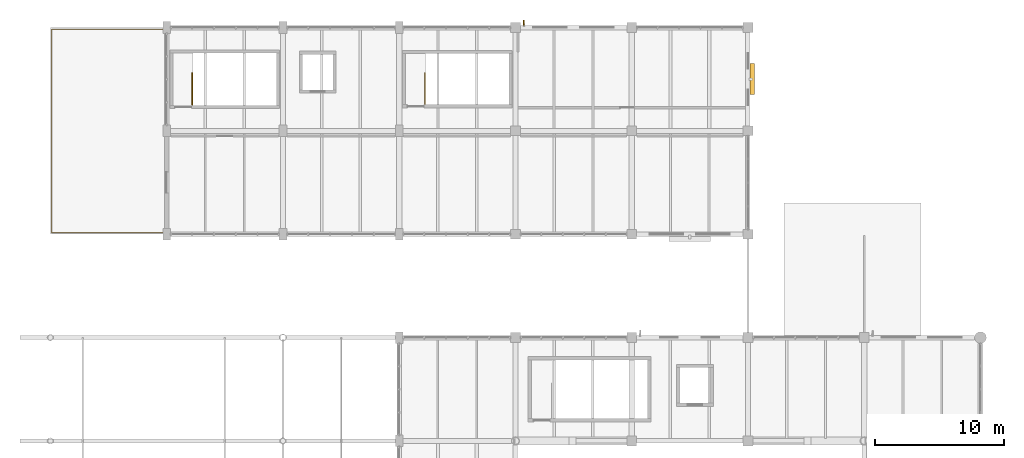
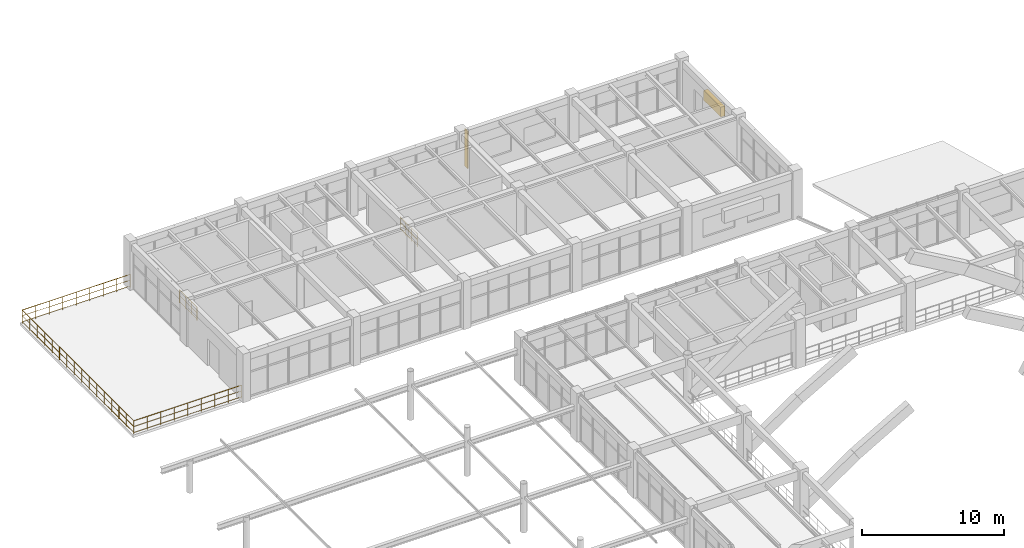
# One storey, part 142 of 148: 3 railings, 2 shading devices.
"""IFC4 building model written with IfcOpenShell, lengths in metres."""

import ifcopenshell
import ifcopenshell.guid

model = None  # the IFC model being written
_history = None  # IfcOwnerHistory: only IFC2X3 demands one
_inside = {}  # id of a spatial element -> (the spatial element, [elements in it])
_under = {}  # id of a project, library or spatial element -> (it, [spatial elements below it])
_declared = {}  # id of a project -> (the project, [libraries it declares])
_typed = {}  # id of a type object -> (the type object, [elements of that type])
_made_of = {}  # id of a material, layer set ... -> (it, [elements and type objects made of it])


def new_model(schema):
    """Start an empty IFC model of exactly this schema.

    Asked for "IFC4X3", IfcOpenShell would pick the latest addendum, in which some entities
    have other attributes; the version numbers below select the first issue.
    IFC2X3 requires an IfcOwnerHistory on every rooted entity: one is made here for all.
    """
    global model, _history
    if schema == "IFC4X3":
        model = ifcopenshell.file(schema_version=(4, 3, 0, 0))
    else:
        model = ifcopenshell.file(schema=schema)
    _inside.clear()
    _under.clear()
    _declared.clear()
    _typed.clear()
    _made_of.clear()
    _history = None
    if model.schema == "IFC2X3":
        org = make("IfcOrganization", Name="unknown")
        user = make(
            "IfcPersonAndOrganization",
            ThePerson=make("IfcPerson", FamilyName="unknown"),
            TheOrganization=org,
        )
        app = make(
            "IfcApplication",
            ApplicationDeveloper=org,
            Version="unknown",
            ApplicationFullName="unknown",
            ApplicationIdentifier="unknown",
        )
        _history = make(
            "IfcOwnerHistory",
            OwningUser=user,
            OwningApplication=app,
            ChangeAction="ADDED",
            CreationDate=0,
        )
    return model


def make(cls, **values):
    """One entity of the class cls with the attributes given. An attribute that is None is left unset."""
    return model.create_entity(
        cls, **{name: value for name, value in values.items() if value is not None}
    )


def rooted(cls, **values):
    """An entity with a GlobalId (a new one), such as an element, a storey or a relation."""
    return make(cls, GlobalId=ifcopenshell.guid.new(), OwnerHistory=_history, **values)


def si_unit(unit_type, name, prefix=None):
    """IfcSIUnit, for example si_unit("LENGTHUNIT", "METRE", prefix="MILLI")."""
    return make("IfcSIUnit", UnitType=unit_type, Prefix=prefix, Name=name)


def derived_unit(unit_type, elements):
    """IfcDerivedUnit: a product of units, each with its exponent."""
    return make(
        "IfcDerivedUnit",
        Elements=[
            make("IfcDerivedUnitElement", Unit=unit, Exponent=power)
            for unit, power in elements
        ],
        UnitType=unit_type,
    )


def assignment(units):
    """IfcUnitAssignment: the units of a project."""
    return None if units is None else make("IfcUnitAssignment", Units=units)


def point(xyz):
    """IfcCartesianPoint."""
    return None if xyz is None else make("IfcCartesianPoint", Coordinates=xyz)


def direction(xyz):
    """IfcDirection."""
    return None if xyz is None else make("IfcDirection", DirectionRatios=xyz)


def frame(location, z_axis=None, x_axis=None):
    """IfcAxis2Placement3D, a coordinate frame: its origin and axes. An axis left out is left unset."""
    return make(
        "IfcAxis2Placement3D",
        Location=point(location),
        Axis=direction(z_axis),
        RefDirection=direction(x_axis),
    )


def frame_2d(location, x_axis=None):
    """IfcAxis2Placement2D, a coordinate frame in the plane: its origin and x axis."""
    return make(
        "IfcAxis2Placement2D", Location=point(location), RefDirection=direction(x_axis)
    )


def origin():
    """The frame at (0, 0, 0) with its axes left unset."""
    return frame((0.0, 0.0, 0.0))


def origin_2d():
    """The frame at (0, 0) in the plane with its x axis left unset."""
    return frame_2d((0.0, 0.0))


def place(relative_to, where):
    """IfcLocalPlacement: puts the frame where relative to a parent placement (None: the world)."""
    return make(
        "IfcLocalPlacement", PlacementRelTo=relative_to, RelativePlacement=where
    )


def context(
    kind, dimensions, precision=None, world=None, true_north=None, identifier=None
):
    """IfcGeometricRepresentationContext, for example the 3D "Model" context."""
    return make(
        "IfcGeometricRepresentationContext",
        ContextIdentifier=identifier,
        ContextType=kind,
        CoordinateSpaceDimension=dimensions,
        Precision=precision,
        WorldCoordinateSystem=world,
        TrueNorth=true_north,
    )


def subcontext(parent, identifier, kind, view, scale=None):
    """IfcGeometricRepresentationSubContext, for example "Body" below "Model"."""
    return make(
        "IfcGeometricRepresentationSubContext",
        ContextIdentifier=identifier,
        ContextType=kind,
        ParentContext=parent,
        TargetScale=scale,
        TargetView=view,
    )


def project(units=None, contexts=None):
    """IfcProject with its units and contexts."""
    return rooted(
        "IfcProject",
        Name="project",
        RepresentationContexts=contexts,
        UnitsInContext=assignment(units),
    )


def spatial(cls, under=None, at=None, **own):
    """A site, building, storey or space (cls), placed at a placement, below another one or the project."""
    s = rooted(cls, ObjectPlacement=at, **own)
    if under is not None:
        _under.setdefault(under.id(), (under, []))[1].append(s)
    return s


def profile(cls, at=None, kind="AREA", **sizes):
    """A parametric profile (cls). Its sizes go by their IFC names, for example OverallWidth=200.0."""
    return make(cls, ProfileType=kind, Position=at, **sizes)


def rectangle(**sizes):
    """IfcRectangleProfileDef."""
    return profile("IfcRectangleProfileDef", **sizes)


def circle(**sizes):
    """IfcCircleProfileDef."""
    return profile("IfcCircleProfileDef", **sizes)


def extrude(swept, where, along, depth):
    """IfcExtrudedAreaSolid: the profile swept, set in the frame where, extruded along a direction by depth."""
    return make(
        "IfcExtrudedAreaSolid",
        SweptArea=swept,
        Position=where,
        ExtrudedDirection=direction(along),
        Depth=depth,
    )


def shape(context_of_items, identifier, shape_type, items):
    """IfcShapeRepresentation: the items that make up one representation, for example the "Body"."""
    return make(
        "IfcShapeRepresentation",
        ContextOfItems=context_of_items,
        RepresentationIdentifier=identifier,
        RepresentationType=shape_type,
        Items=items,
    )


def material(Name=None, Category=None):
    """IfcMaterial."""
    return make("IfcMaterial", Name=Name, Category=Category)


def layer(
    of_material, thickness, ventilated=None, Name=None, Category=None, Priority=None
):
    """IfcMaterialLayer: one layer of a wall or slab, of a material (None: an air gap)."""
    return make(
        "IfcMaterialLayer",
        Material=of_material,
        LayerThickness=thickness,
        IsVentilated=ventilated,
        Name=Name,
        Category=Category,
        Priority=Priority,
    )


def layer_set(layers, Name=None):
    """IfcMaterialLayerSet."""
    return make("IfcMaterialLayerSet", MaterialLayers=layers, LayerSetName=Name)


def made_of(thing, what):
    """Note that an element or type object is made of a material, layer set ...; save() writes the relation."""
    if what is not None:
        _made_of.setdefault(what.id(), (what, []))[1].append(thing)
    return thing


def type_object(cls, material=None, **own):
    """A type object (cls), such as IfcWallType, which elements share."""
    return made_of(rooted(cls, **own), material)


def element(
    cls,
    number,
    at=None,
    inside=None,
    cuts=None,
    type_object=None,
    material=None,
    context=None,
    identifier="Body",
    shape_type=None,
    held_by="IfcProductDefinitionShape",
    body=None,
    shapes=None,
    **own,
):
    """One element of the class cls, such as IfcWall. Its Tag is "e" and its number.

    at: its placement. inside: the storey or other place that contains it. cuts: it is an
    opening in that element (IfcRelVoidsElement). A single representation is given by context,
    identifier, shape_type and body (its items); several are given by shapes. held_by: the class
    of the entity that holds the representations. save() writes the other relations.
    """
    e = rooted(cls, Tag="e%d" % number, ObjectPlacement=at, **own)
    if body is not None:
        shapes = [shape(context, identifier, shape_type, body)]
    if shapes is not None:
        e.Representation = make(held_by, Representations=shapes)
    if inside is not None:
        _inside.setdefault(inside.id(), (inside, []))[1].append(e)
    if cuts is not None:
        rooted(
            "IfcRelVoidsElement", RelatingBuildingElement=cuts, RelatedOpeningElement=e
        )
    if type_object is not None:
        _typed.setdefault(type_object.id(), (type_object, []))[1].append(e)
    return made_of(e, material)


def aggregate(whole, parts):
    """IfcRelAggregates: a whole, such as a stair, and the parts it consists of."""
    return rooted("IfcRelAggregates", RelatingObject=whole, RelatedObjects=parts)


def save(model, path):
    """Write the relations noted so far, then the file.

    IfcRelAggregates (storeys below a building ...), IfcRelContainedInSpatialStructure (elements
    in a storey), IfcRelDefinesByType, IfcRelAssociatesMaterial and IfcRelDeclares: one each for
    every whole, place, type object, material and project.
    """
    for whole, parts in _under.values():
        aggregate(whole, parts)
    for where, things in _inside.values():
        rooted(
            "IfcRelContainedInSpatialStructure",
            RelatedElements=things,
            RelatingStructure=where,
        )
    for kind, things in _typed.values():
        rooted("IfcRelDefinesByType", RelatedObjects=things, RelatingType=kind)
    for what, things in _made_of.values():
        rooted("IfcRelAssociatesMaterial", RelatedObjects=things, RelatingMaterial=what)
    for by, libraries in _declared.values():
        rooted("IfcRelDeclares", RelatingContext=by, RelatedDefinitions=libraries)
    model.write(path)


model = new_model("IFC4")

# Units and contexts
model_context = context("Model", 3, precision=1e-05, world=origin(), true_north=direction((0.0, 1.0)))
body_context = subcontext(model_context, "Body", "Model", "MODEL_VIEW")
ifc_project = project(units=[si_unit("LENGTHUNIT", "METRE"), si_unit("AREAUNIT", "SQUARE_METRE"), si_unit("VOLUMEUNIT", "CUBIC_METRE"), si_unit("PLANEANGLEUNIT", "RADIAN"), si_unit("MASSUNIT", "GRAM", prefix="KILO"), derived_unit("THERMALTRANSMITTANCEUNIT", [(si_unit("MASSUNIT", "GRAM", prefix="KILO"), 1), (si_unit("TIMEUNIT", "SECOND"), -3), (si_unit("THERMODYNAMICTEMPERATUREUNIT", "KELVIN"), -1)])], contexts=[model_context])

# Site, building, storey
site_placement = place(None, origin())
site = spatial("IfcSite", under=ifc_project, at=site_placement, CompositionType="ELEMENT")
building_placement = place(site_placement, origin())
building = spatial("IfcBuilding", under=site, at=building_placement, Name="Zhenchuan Archway Interchange", CompositionType="ELEMENT")
storey_placement = place(building_placement, frame((0.0, 0.0, 10.199951171875)))
storey = spatial("IfcBuildingStorey", under=building, at=storey_placement, Name="L02", CompositionType="ELEMENT", Elevation=10.199951171875)

# Railings
ifc_material_1 = material(Name="Stainless Steel 316", Category="steel")
ifc_layer = layer(ifc_material_1, 0.070068359375)
ifc_layer_set = layer_set([ifc_layer], Name="Stainless Steel 316")
railing_type_1 = type_object("IfcRailingType", Name="RL_BALUSTRADE_1150", PredefinedType="BALUSTRADE", material=ifc_layer_set)
railing_1_placement = place(storey_placement, frame((8.919921875, 96.1201171875, 0.0)))
element("IfcRailing", 1, at=railing_1_placement, inside=storey, type_object=railing_type_1, Name="Terminal Wing L02 loggia terrace perimeter balustrade", PredefinedType="BALUSTRADE", context=body_context, shape_type="SweptSolid", body=[
    extrude(circle(Radius=0.02392578125, at=origin_2d()), frame((0.0, 0.0, 1.1259765625), z_axis=(-1.0, 0.0, 0.0), x_axis=(0.0, -1.0, 0.0)), (0.0, 0.0, 1.0), 8.7998046875),
    extrude(circle(Radius=0.01611328125, at=origin_2d()), frame((0.0, 0.0, 0.63232421875), z_axis=(-1.0, 0.0, 0.0), x_axis=(0.0, -1.0, 0.0)), (0.0, 0.0, 1.0), 8.7998046875),
    extrude(circle(Radius=0.01611328125, at=origin_2d()), frame((0.0, 0.0, 0.1201171875), z_axis=(-1.0, 0.0, 0.0), x_axis=(0.0, -1.0, 0.0)), (0.0, 0.0, 1.0), 8.7998046875),
    extrude(circle(Radius=0.02392578125, at=origin_2d()), frame((-8.7998046875, 0.0, 1.1259765625), z_axis=(0.0, 1.0, 0.0), x_axis=(-1.0, 0.0, 0.0)), (0.0, 0.0, 1.0), 15.759765625),
    extrude(circle(Radius=0.01611328125, at=origin_2d()), frame((-8.7998046875, 0.0, 0.63232421875), z_axis=(0.0, 1.0, 0.0), x_axis=(-1.0, 0.0, 0.0)), (0.0, 0.0, 1.0), 15.759765625),
    extrude(circle(Radius=0.01611328125, at=origin_2d()), frame((-8.7998046875, 0.0, 0.1201171875), z_axis=(0.0, 1.0, 0.0), x_axis=(-1.0, 0.0, 0.0)), (0.0, 0.0, 1.0), 15.759765625),
    extrude(circle(Radius=0.02392578125, at=origin_2d()), frame((-8.7998046875, 15.759765625, 1.1259765625), z_axis=(1.0, 0.0, 0.0), x_axis=(0.0, 1.0, 0.0)), (0.0, 0.0, 1.0), 8.7998046875),
    extrude(circle(Radius=0.01611328125, at=origin_2d()), frame((-8.7998046875, 15.759765625, 0.63232421875), z_axis=(1.0, 0.0, 0.0), x_axis=(0.0, 1.0, 0.0)), (0.0, 0.0, 1.0), 8.7998046875),
    extrude(circle(Radius=0.01611328125, at=origin_2d()), frame((-8.7998046875, 15.759765625, 0.1201171875), z_axis=(1.0, 0.0, 0.0), x_axis=(0.0, 1.0, 0.0)), (0.0, 0.0, 1.0), 8.7998046875),
    extrude(circle(Radius=0.02099609375, at=origin_2d()), origin(), (0.0, 0.0, 1.0), 1.1259765625),
    extrude(circle(Radius=0.02099609375, at=origin_2d()), frame((-1.10009765625, 0.0, 0.0)), (0.0, 0.0, 1.0), 1.1259765625),
    extrude(circle(Radius=0.02099609375, at=origin_2d()), frame((-2.199951171875, 0.0, 0.0)), (0.0, 0.0, 1.0), 1.1259765625),
    extrude(circle(Radius=0.02099609375, at=origin_2d()), frame((-3.2998046875, 0.0, 0.0)), (0.0, 0.0, 1.0), 1.1259765625),
    extrude(circle(Radius=0.02099609375, at=origin_2d()), frame((-4.39990234375, 0.0, 0.0)), (0.0, 0.0, 1.0), 1.1259765625),
    extrude(circle(Radius=0.02099609375, at=origin_2d()), frame((-5.5, 0.0, 0.0)), (0.0, 0.0, 1.0), 1.1259765625),
    extrude(circle(Radius=0.02099609375, at=origin_2d()), frame((-6.599853515625, 0.0, 0.0)), (0.0, 0.0, 1.0), 1.1259765625),
    extrude(circle(Radius=0.02099609375, at=origin_2d()), frame((-7.69970703125, 0.0, 0.0)), (0.0, 0.0, 1.0), 1.1259765625),
    extrude(circle(Radius=0.02099609375, at=origin_2d()), frame((-8.7998046875, 0.0, 0.0)), (0.0, 0.0, 1.0), 1.1259765625),
    extrude(circle(Radius=0.02099609375, at=origin_2d()), frame((-8.7998046875, 1.050537109375, 0.0)), (0.0, 0.0, 1.0), 1.1259765625),
    extrude(circle(Radius=0.02099609375, at=origin_2d()), frame((-8.7998046875, 2.101318359375, 0.0)), (0.0, 0.0, 1.0), 1.1259765625),
    extrude(circle(Radius=0.02099609375, at=origin_2d()), frame((-8.7998046875, 3.15185546875, 0.0)), (0.0, 0.0, 1.0), 1.1259765625),
    extrude(circle(Radius=0.02099609375, at=origin_2d()), frame((-8.7998046875, 4.20263671875, 0.0)), (0.0, 0.0, 1.0), 1.1259765625),
    extrude(circle(Radius=0.02099609375, at=origin_2d()), frame((-8.7998046875, 5.253173828125, 0.0)), (0.0, 0.0, 1.0), 1.1259765625),
    extrude(circle(Radius=0.02099609375, at=origin_2d()), frame((-8.7998046875, 6.303955078125, 0.0)), (0.0, 0.0, 1.0), 1.1259765625),
    extrude(circle(Radius=0.02099609375, at=origin_2d()), frame((-8.7998046875, 7.3544921875, 0.0)), (0.0, 0.0, 1.0), 1.1259765625),
    extrude(circle(Radius=0.02099609375, at=origin_2d()), frame((-8.7998046875, 8.4052734375, 0.0)), (0.0, 0.0, 1.0), 1.1259765625),
    extrude(circle(Radius=0.02099609375, at=origin_2d()), frame((-8.7998046875, 9.455810546875, 0.0)), (0.0, 0.0, 1.0), 1.1259765625),
    extrude(circle(Radius=0.02099609375, at=origin_2d()), frame((-8.7998046875, 10.506591796875, 0.0)), (0.0, 0.0, 1.0), 1.1259765625),
    extrude(circle(Radius=0.02099609375, at=origin_2d()), frame((-8.7998046875, 11.55712890625, 0.0)), (0.0, 0.0, 1.0), 1.1259765625),
    extrude(circle(Radius=0.02099609375, at=origin_2d()), frame((-8.7998046875, 12.60791015625, 0.0)), (0.0, 0.0, 1.0), 1.1259765625),
    extrude(circle(Radius=0.02099609375, at=origin_2d()), frame((-8.7998046875, 13.658447265625, 0.0)), (0.0, 0.0, 1.0), 1.1259765625),
    extrude(circle(Radius=0.02099609375, at=origin_2d()), frame((-8.7998046875, 14.709228515625, 0.0)), (0.0, 0.0, 1.0), 1.1259765625),
    extrude(circle(Radius=0.02099609375, at=origin_2d()), frame((-8.7998046875, 15.759765625, 0.0)), (0.0, 0.0, 1.0), 1.1259765625),
    extrude(circle(Radius=0.02099609375, at=origin_2d()), frame((-7.69970703125, 15.759765625, 0.0)), (0.0, 0.0, 1.0), 1.1259765625),
    extrude(circle(Radius=0.02099609375, at=origin_2d()), frame((-6.599853515625, 15.759765625, 0.0)), (0.0, 0.0, 1.0), 1.1259765625),
    extrude(circle(Radius=0.02099609375, at=origin_2d()), frame((-5.5, 15.759765625, 0.0)), (0.0, 0.0, 1.0), 1.1259765625),
    extrude(circle(Radius=0.02099609375, at=origin_2d()), frame((-4.39990234375, 15.759765625, 0.0)), (0.0, 0.0, 1.0), 1.1259765625),
    extrude(circle(Radius=0.02099609375, at=origin_2d()), frame((-3.2998046875, 15.759765625, 0.0)), (0.0, 0.0, 1.0), 1.1259765625),
    extrude(circle(Radius=0.02099609375, at=origin_2d()), frame((-2.199951171875, 15.759765625, 0.0)), (0.0, 0.0, 1.0), 1.1259765625),
    extrude(circle(Radius=0.02099609375, at=origin_2d()), frame((-1.10009765625, 15.759765625, 0.0)), (0.0, 0.0, 1.0), 1.1259765625),
    extrude(circle(Radius=0.02099609375, at=origin_2d()), frame((0.0, 15.759765625, 0.0)), (0.0, 0.0, 1.0), 1.1259765625),
])
ifc_material_2 = material(Name="Painted Galvanised Steel", Category="steel")
railing_type_2 = type_object("IfcRailingType", Name="RL_GUARD_1150", PredefinedType="GUARDRAIL", material=ifc_material_2)
railing_2_placement = place(storey_placement, frame((10.985107421875, 106.014892578125, 0.0)))
element("IfcRailing", 2, at=railing_2_placement, inside=storey, type_object=railing_type_2, Name="Stair ST-W1 top landing guard (L02)", PredefinedType="GUARDRAIL", context=body_context, shape_type="SweptSolid", body=[
    extrude(circle(Radius=0.02392578125, at=origin_2d()), frame((0.0, 0.0, 1.1259765625), z_axis=(0.0, 1.0, 0.0), x_axis=(-1.0, 0.0, 0.0)), (0.0, 0.0, 1.0), 2.47021484375),
    extrude(circle(Radius=0.01611328125, at=origin_2d()), frame((0.0, 0.0, 0.63232421875), z_axis=(0.0, 1.0, 0.0), x_axis=(-1.0, 0.0, 0.0)), (0.0, 0.0, 1.0), 2.47021484375),
    extrude(circle(Radius=0.01611328125, at=origin_2d()), frame((0.0, 0.0, 0.1201171875), z_axis=(0.0, 1.0, 0.0), x_axis=(-1.0, 0.0, 0.0)), (0.0, 0.0, 1.0), 2.47021484375),
    extrude(circle(Radius=0.02099609375, at=origin_2d()), origin(), (0.0, 0.0, 1.0), 1.1259765625),
    extrude(circle(Radius=0.02099609375, at=origin_2d()), frame((0.0, 0.823486328125, 0.0)), (0.0, 0.0, 1.0), 1.1259765625),
    extrude(circle(Radius=0.02099609375, at=origin_2d()), frame((0.0, 1.646728515625, 0.0)), (0.0, 0.0, 1.0), 1.1259765625),
    extrude(circle(Radius=0.02099609375, at=origin_2d()), frame((0.0, 2.47021484375, 0.0)), (0.0, 0.0, 1.0), 1.1259765625),
])
railing_3_placement = place(storey_placement, frame((28.985107421875, 106.06494140625, 0.0)))
element("IfcRailing", 3, at=railing_3_placement, inside=storey, type_object=railing_type_2, Name="Stair ST-W2 top landing guard (L02)", PredefinedType="GUARDRAIL", context=body_context, shape_type="SweptSolid", body=[
    extrude(circle(Radius=0.02392578125, at=origin_2d()), frame((0.0, 0.0, 1.1259765625), z_axis=(0.0, 1.0, 0.0), x_axis=(-1.0, 0.0, 0.0)), (0.0, 0.0, 1.0), 2.420166015625),
    extrude(circle(Radius=0.01611328125, at=origin_2d()), frame((0.0, 0.0, 0.63232421875), z_axis=(0.0, 1.0, 0.0), x_axis=(-1.0, 0.0, 0.0)), (0.0, 0.0, 1.0), 2.420166015625),
    extrude(circle(Radius=0.01611328125, at=origin_2d()), frame((0.0, 0.0, 0.1201171875), z_axis=(0.0, 1.0, 0.0), x_axis=(-1.0, 0.0, 0.0)), (0.0, 0.0, 1.0), 2.420166015625),
    extrude(circle(Radius=0.02099609375, at=origin_2d()), origin(), (0.0, 0.0, 1.0), 1.1259765625),
    extrude(circle(Radius=0.02099609375, at=origin_2d()), frame((0.0, 0.806640625, 0.0)), (0.0, 0.0, 1.0), 1.1259765625),
    extrude(circle(Radius=0.02099609375, at=origin_2d()), frame((0.0, 1.613525390625, 0.0)), (0.0, 0.0, 1.0), 1.1259765625),
    extrude(circle(Radius=0.02099609375, at=origin_2d()), frame((0.0, 2.420166015625, 0.0)), (0.0, 0.0, 1.0), 1.1259765625),
])

# Shading devices
ifc_material_3 = material(Name="Terracotta Ceramic", Category="masonry")
shading_device_type_1 = type_object("IfcShadingDeviceType", Name="SHD_FIN_1", PredefinedType="USERDEFINED", material=ifc_material_3)
shading_device_1_placement = place(storey_placement, frame((36.653076171875, 112.3740234375, 0.35986328125), z_axis=(0.0, 0.0, 1.0), x_axis=(1.0, 0.0, 0.0)))
element("IfcShadingDevice", 4, at=shading_device_1_placement, inside=storey, type_object=shading_device_type_1, Name="Terracotta vertical solar fin L02-078", ObjectType="FINS", PredefinedType="USERDEFINED", context=body_context, shape_type="SweptSolid", body=[
    extrude(rectangle(XDim=0.090087890625, YDim=0.419921875, at=origin_2d()), origin(), (0.0, 0.0, 1.0), 3.199951171875),
])
ifc_material_4 = material(Name="Anodised Aluminium", Category="aluminium")
shading_device_type_2 = type_object("IfcShadingDeviceType", Name="SHD_LOUVRE_2", PredefinedType="JALOUSIE", material=ifc_material_4)
shading_device_2_placement = place(storey_placement, frame((54.333984375, 108.0, 1.925048828125), z_axis=(0.0, 0.0, 1.0), x_axis=(0.0, -1.0, 0.0)))
element("IfcShadingDevice", 5, at=shading_device_2_placement, inside=storey, type_object=shading_device_type_2, Name="Monsoon storm-louvre jalousie L02-079", PredefinedType="JALOUSIE", context=body_context, shape_type="SweptSolid", body=[
    extrude(rectangle(XDim=2.39990234375, YDim=0.340087890625, at=origin_2d()), origin(), (0.0, 0.0, 1.0), 0.85009765625),
])

save(model, "model.ifc")
